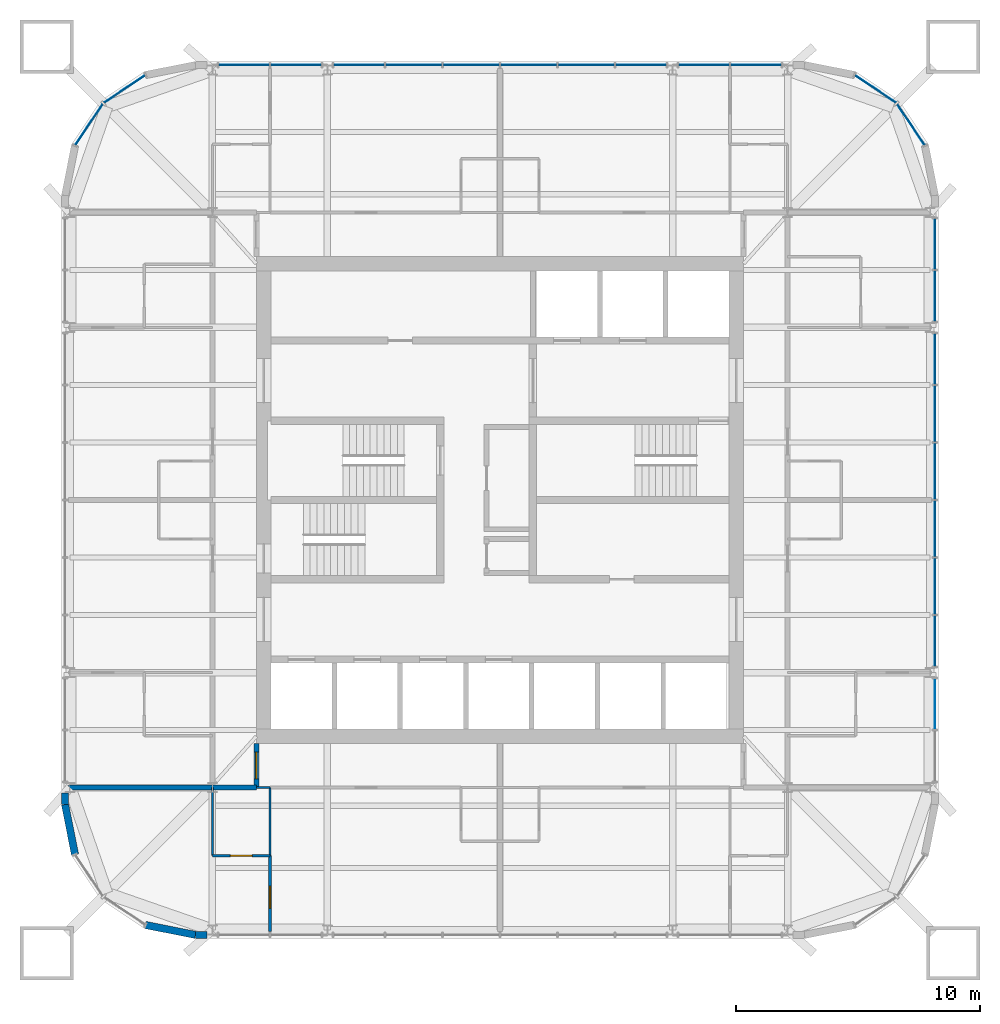
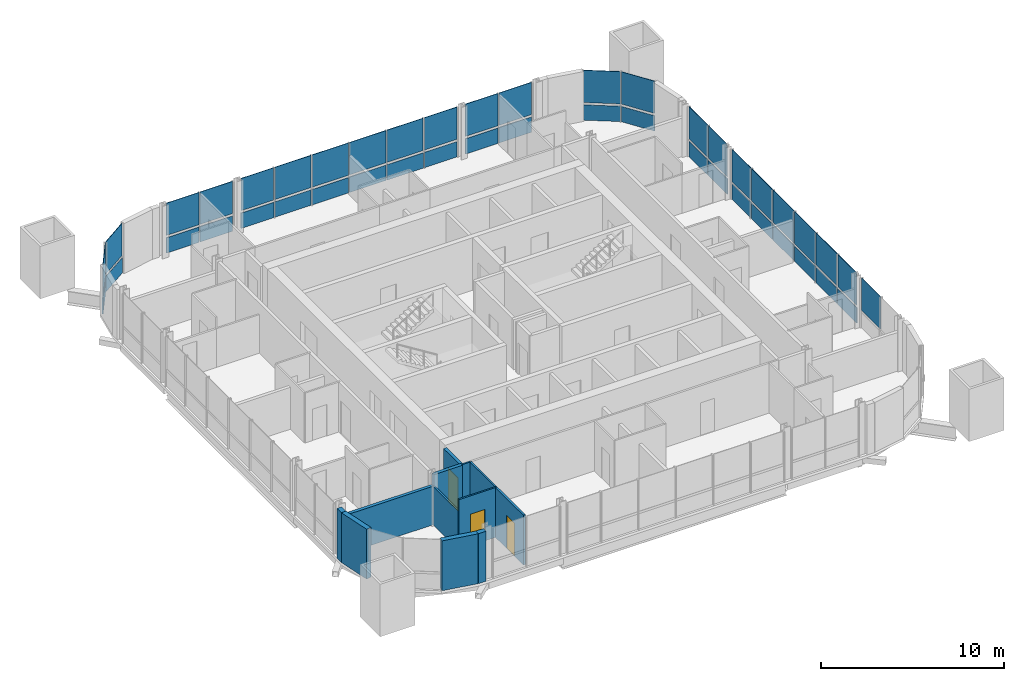
# One storey, part 7 of 12: 45 plates, 12 walls, 3 doors, 3 openings, 8 elements without a shape of their own.
"""IFC4 building model written with IfcOpenShell, lengths in metres."""

from ifc_helpers import new_model, si_unit, direction, frame, frame_2d, origin, origin_2d, place, context, subcontext, project, spatial, rectangle, extrude, material, layer, layer_set, type_object, element, fill, aggregate, save


model = new_model("IFC4")

# Units and contexts
model_context = context("Model", 3, precision=1e-05, world=origin(), true_north=direction((0.0, 1.0)))
body_context = subcontext(model_context, "Body", "Model", "MODEL_VIEW")
ifc_project = project(units=[si_unit("LENGTHUNIT", "METRE"), si_unit("AREAUNIT", "SQUARE_METRE"), si_unit("VOLUMEUNIT", "CUBIC_METRE"), si_unit("PLANEANGLEUNIT", "RADIAN"), si_unit("MASSUNIT", "GRAM", prefix="KILO")], contexts=[model_context])

# Site, building, storey
site_placement = place(None, origin())
site = spatial("IfcSite", under=ifc_project, at=site_placement, CompositionType="ELEMENT")
building_placement = place(site_placement, origin())
building = spatial("IfcBuilding", under=site, at=building_placement, Name="Turquesa Mirador Hotel Tower", CompositionType="ELEMENT")
storey_placement = place(building_placement, frame((0.0, 0.0, 233.699951171875)))
storey = spatial("IfcBuildingStorey", under=building, at=storey_placement, Name="L63", CompositionType="ELEMENT", Elevation=233.699951171875)

# Curtain wall, plates
ifc_material_1 = material(Name="Aluminium extrusion", Category="aluminium")
curtain_wall_type = type_object("IfcCurtainWallType", Name="CW-4 SUITE FRITTED CURTAIN WALL", PredefinedType="USERDEFINED", material=ifc_material_1)
curtain_wall_1_placement = place(storey_placement, origin())
curtain_wall_1 = element("IfcCurtainWall", 1, at=curtain_wall_1_placement, inside=storey, type_object=curtain_wall_type, Name="CW-4 SUITE FRITTED CURTAIN WALL L63", ObjectType="CURTAIN WALL", PredefinedType="USERDEFINED")
ifc_material_2 = material(Name="Ceramic-printed spandrel glass on an insulated back pan", Category="glass")
ifc_layer_1 = layer(ifc_material_2, 0.050048828125)
ifc_layer_set_1 = layer_set([ifc_layer_1], Name="CW PANEL SPANDREL CERAMIC")
plate_type_1 = type_object("IfcPlateType", Name="CW PANEL SPANDREL CERAMIC", PredefinedType="CURTAIN_PANEL", material=ifc_layer_set_1)
plate_1_placement = place(storey_placement, frame((72.85009765625, 39.217041015625, 0.0), z_axis=(0.0, 0.0, 1.0), x_axis=(0.0, 1.0, 0.0)))
plate_1 = element("IfcPlate", 2, at=plate_1_placement, type_object=plate_type_1, Name="Panel", PredefinedType="CURTAIN_PANEL", context=body_context, shape_type="SweptSolid", body=[
    extrude(rectangle(XDim=2.06103515625, YDim=0.050048828125, at=origin_2d()), origin(), (0.0, 0.0, 1.0), 1.02490234375),
])
plate_2_placement = place(storey_placement, frame((72.85009765625, 41.4599609375, 0.0), z_axis=(0.0, 0.0, 1.0), x_axis=(0.0, 1.0, 0.0)))
plate_2 = element("IfcPlate", 3, at=plate_2_placement, type_object=plate_type_1, Name="Panel", PredefinedType="CURTAIN_PANEL", context=body_context, shape_type="SweptSolid", body=[
    extrude(rectangle(XDim=2.294921875, YDim=0.050048828125, at=origin_2d()), origin(), (0.0, 0.0, 1.0), 1.02490234375),
])
plate_3_placement = place(storey_placement, frame((72.85009765625, 43.820068359375, 0.0), z_axis=(0.0, 0.0, 1.0), x_axis=(0.0, 1.0, 0.0)))
plate_3 = element("IfcPlate", 4, at=plate_3_placement, type_object=plate_type_1, Name="Panel", PredefinedType="CURTAIN_PANEL", context=body_context, shape_type="SweptSolid", body=[
    extrude(rectangle(XDim=2.294921875, YDim=0.050048828125, at=origin_2d()), origin(), (0.0, 0.0, 1.0), 1.02490234375),
])
plate_4_placement = place(storey_placement, frame((72.85009765625, 46.179931640625, 0.0), z_axis=(0.0, 0.0, 1.0), x_axis=(0.0, 1.0, 0.0)))
plate_4 = element("IfcPlate", 5, at=plate_4_placement, type_object=plate_type_1, Name="Panel", PredefinedType="CURTAIN_PANEL", context=body_context, shape_type="SweptSolid", body=[
    extrude(rectangle(XDim=2.294921875, YDim=0.050048828125, at=origin_2d()), origin(), (0.0, 0.0, 1.0), 1.02490234375),
])
plate_5_placement = place(storey_placement, frame((72.85009765625, 48.5400390625, 0.0), z_axis=(0.0, 0.0, 1.0), x_axis=(0.0, 1.0, 0.0)))
plate_5 = element("IfcPlate", 6, at=plate_5_placement, type_object=plate_type_1, Name="Panel", PredefinedType="CURTAIN_PANEL", context=body_context, shape_type="SweptSolid", body=[
    extrude(rectangle(XDim=2.294921875, YDim=0.050048828125, at=origin_2d()), origin(), (0.0, 0.0, 1.0), 1.02490234375),
])
plate_6_placement = place(storey_placement, frame((72.85009765625, 50.782958984375, 0.0), z_axis=(0.0, 0.0, 1.0), x_axis=(0.0, 1.0, 0.0)))
plate_6 = element("IfcPlate", 7, at=plate_6_placement, type_object=plate_type_1, Name="Panel", PredefinedType="CURTAIN_PANEL", context=body_context, shape_type="SweptSolid", body=[
    extrude(rectangle(XDim=2.06103515625, YDim=0.050048828125, at=origin_2d()), origin(), (0.0, 0.0, 1.0), 1.02490234375),
])

curtain_wall_2_placement = place(storey_placement, origin())
curtain_wall_2 = element("IfcCurtainWall", 8, at=curtain_wall_2_placement, inside=storey, type_object=curtain_wall_type, Name="CW-4 SUITE FRITTED CURTAIN WALL L63", ObjectType="CURTAIN WALL", PredefinedType="USERDEFINED")
plate_7_placement = place(storey_placement, frame((72.85009765625, 53.376953125, 0.0), z_axis=(0.0, 0.0, 1.0), x_axis=(0.0, 1.0, 0.0)))
plate_7 = element("IfcPlate", 9, at=plate_7_placement, type_object=plate_type_1, Name="Panel", PredefinedType="CURTAIN_PANEL", context=body_context, shape_type="SweptSolid", body=[
    extrude(rectangle(XDim=2.06103515625, YDim=0.050048828125, at=origin_2d()), origin(), (0.0, 0.0, 1.0), 1.02490234375),
])
plate_8_placement = place(storey_placement, frame((72.85009765625, 55.503173828125, 0.0), z_axis=(0.0, 0.0, 1.0), x_axis=(0.0, 1.0, 0.0)))
plate_8 = element("IfcPlate", 10, at=plate_8_placement, type_object=plate_type_1, Name="Panel", PredefinedType="CURTAIN_PANEL", context=body_context, shape_type="SweptSolid", body=[
    extrude(rectangle(XDim=2.06103515625, YDim=0.050048828125, at=origin_2d()), origin(), (0.0, 0.0, 1.0), 1.02490234375),
])

curtain_wall_3_placement = place(storey_placement, origin())
curtain_wall_3 = element("IfcCurtainWall", 11, at=curtain_wall_3_placement, inside=storey, type_object=curtain_wall_type, Name="CW-4 SUITE FRITTED CURTAIN WALL L63", ObjectType="CURTAIN WALL", PredefinedType="USERDEFINED")
plate_9_placement = place(storey_placement, frame((71.86279296875, 60.415283203125, 0.0), z_axis=(0.0, 0.0, 1.0), x_axis=(-0.555570141754, 0.831469673284, 0.0)))
plate_9 = element("IfcPlate", 12, at=plate_9_placement, type_object=plate_type_1, Name="Panel", PredefinedType="CURTAIN_PANEL", context=body_context, shape_type="SweptSolid", body=[
    extrude(rectangle(XDim=2.0224609375, YDim=0.050048828125, at=origin_2d()), origin(), (0.0, 0.0, 1.0), 1.02490234375),
])
plate_10_placement = place(storey_placement, frame((70.415283203125, 61.86279296875, 0.0), z_axis=(0.0, 0.0, 1.0), x_axis=(-0.831469673284, 0.555570141754, 0.0)))
plate_10 = element("IfcPlate", 13, at=plate_10_placement, type_object=plate_type_1, Name="Panel", PredefinedType="CURTAIN_PANEL", context=body_context, shape_type="SweptSolid", body=[
    extrude(rectangle(XDim=2.0224609375, YDim=0.050048828125, at=origin_2d()), origin(), (0.0, 0.0, 1.0), 1.02490234375),
])

curtain_wall_4_placement = place(storey_placement, origin())
curtain_wall_4 = element("IfcCurtainWall", 14, at=curtain_wall_4_placement, inside=storey, type_object=curtain_wall_type, Name="CW-4 SUITE FRITTED CURTAIN WALL L63", ObjectType="CURTAIN WALL", PredefinedType="USERDEFINED")
plate_11_placement = place(storey_placement, frame((65.503173828125, 62.85009765625, 0.0), z_axis=(0.0, 0.0, 1.0), x_axis=(-1.0, 0.0, 0.0)))
plate_11 = element("IfcPlate", 15, at=plate_11_placement, type_object=plate_type_1, Name="Panel", PredefinedType="CURTAIN_PANEL", context=body_context, shape_type="SweptSolid", body=[
    extrude(rectangle(XDim=2.06103515625, YDim=0.050048828125, at=origin_2d()), origin(), (0.0, 0.0, 1.0), 1.02490234375),
])
plate_12_placement = place(storey_placement, frame((63.376953125, 62.85009765625, 0.0), z_axis=(0.0, 0.0, 1.0), x_axis=(-1.0, 0.0, 0.0)))
plate_12 = element("IfcPlate", 16, at=plate_12_placement, type_object=plate_type_1, Name="Panel", PredefinedType="CURTAIN_PANEL", context=body_context, shape_type="SweptSolid", body=[
    extrude(rectangle(XDim=2.06103515625, YDim=0.050048828125, at=origin_2d()), origin(), (0.0, 0.0, 1.0), 1.02490234375),
])

curtain_wall_5_placement = place(storey_placement, origin())
curtain_wall_5 = element("IfcCurtainWall", 17, at=curtain_wall_5_placement, inside=storey, type_object=curtain_wall_type, Name="CW-4 SUITE FRITTED CURTAIN WALL L63", ObjectType="CURTAIN WALL", PredefinedType="USERDEFINED")
plate_13_placement = place(storey_placement, frame((60.782958984375, 62.85009765625, 0.0), z_axis=(0.0, 0.0, 1.0), x_axis=(-1.0, 0.0, 0.0)))
plate_13 = element("IfcPlate", 18, at=plate_13_placement, type_object=plate_type_1, Name="Panel", PredefinedType="CURTAIN_PANEL", context=body_context, shape_type="SweptSolid", body=[
    extrude(rectangle(XDim=2.06103515625, YDim=0.050048828125, at=origin_2d()), origin(), (0.0, 0.0, 1.0), 1.02490234375),
])
plate_14_placement = place(storey_placement, frame((58.5400390625, 62.85009765625, 0.0), z_axis=(0.0, 0.0, 1.0), x_axis=(-1.0, 0.0, 0.0)))
plate_14 = element("IfcPlate", 19, at=plate_14_placement, type_object=plate_type_1, Name="Panel", PredefinedType="CURTAIN_PANEL", context=body_context, shape_type="SweptSolid", body=[
    extrude(rectangle(XDim=2.294921875, YDim=0.050048828125, at=origin_2d()), origin(), (0.0, 0.0, 1.0), 1.02490234375),
])
plate_15_placement = place(storey_placement, frame((56.179931640625, 62.85009765625, 0.0), z_axis=(0.0, 0.0, 1.0), x_axis=(-1.0, 0.0, 0.0)))
plate_15 = element("IfcPlate", 20, at=plate_15_placement, type_object=plate_type_1, Name="Panel", PredefinedType="CURTAIN_PANEL", context=body_context, shape_type="SweptSolid", body=[
    extrude(rectangle(XDim=2.294921875, YDim=0.050048828125, at=origin_2d()), origin(), (0.0, 0.0, 1.0), 1.02490234375),
])
plate_16_placement = place(storey_placement, frame((53.820068359375, 62.85009765625, 0.0), z_axis=(0.0, 0.0, 1.0), x_axis=(-1.0, 0.0, 0.0)))
plate_16 = element("IfcPlate", 21, at=plate_16_placement, type_object=plate_type_1, Name="Panel", PredefinedType="CURTAIN_PANEL", context=body_context, shape_type="SweptSolid", body=[
    extrude(rectangle(XDim=2.294921875, YDim=0.050048828125, at=origin_2d()), origin(), (0.0, 0.0, 1.0), 1.02490234375),
])
plate_17_placement = place(storey_placement, frame((51.4599609375, 62.85009765625, 0.0), z_axis=(0.0, 0.0, 1.0), x_axis=(-1.0, 0.0, 0.0)))
plate_17 = element("IfcPlate", 22, at=plate_17_placement, type_object=plate_type_1, Name="Panel", PredefinedType="CURTAIN_PANEL", context=body_context, shape_type="SweptSolid", body=[
    extrude(rectangle(XDim=2.294921875, YDim=0.050048828125, at=origin_2d()), origin(), (0.0, 0.0, 1.0), 1.02490234375),
])
plate_18_placement = place(storey_placement, frame((49.217041015625, 62.85009765625, 0.0), z_axis=(0.0, 0.0, 1.0), x_axis=(-1.0, 0.0, 0.0)))
plate_18 = element("IfcPlate", 23, at=plate_18_placement, type_object=plate_type_1, Name="Panel", PredefinedType="CURTAIN_PANEL", context=body_context, shape_type="SweptSolid", body=[
    extrude(rectangle(XDim=2.06103515625, YDim=0.050048828125, at=origin_2d()), origin(), (0.0, 0.0, 1.0), 1.02490234375),
])

curtain_wall_6_placement = place(storey_placement, origin())
curtain_wall_6 = element("IfcCurtainWall", 24, at=curtain_wall_6_placement, inside=storey, type_object=curtain_wall_type, Name="CW-4 SUITE FRITTED CURTAIN WALL L63", ObjectType="CURTAIN WALL", PredefinedType="USERDEFINED")
plate_19_placement = place(storey_placement, frame((46.623046875, 62.85009765625, 0.0), z_axis=(0.0, 0.0, 1.0), x_axis=(-1.0, 0.0, 0.0)))
plate_19 = element("IfcPlate", 25, at=plate_19_placement, type_object=plate_type_1, Name="Panel", PredefinedType="CURTAIN_PANEL", context=body_context, shape_type="SweptSolid", body=[
    extrude(rectangle(XDim=2.06103515625, YDim=0.050048828125, at=origin_2d()), origin(), (0.0, 0.0, 1.0), 1.02490234375),
])
plate_20_placement = place(storey_placement, frame((44.496826171875, 62.85009765625, 0.0), z_axis=(0.0, 0.0, 1.0), x_axis=(-1.0, 0.0, 0.0)))
plate_20 = element("IfcPlate", 26, at=plate_20_placement, type_object=plate_type_1, Name="Panel", PredefinedType="CURTAIN_PANEL", context=body_context, shape_type="SweptSolid", body=[
    extrude(rectangle(XDim=2.06103515625, YDim=0.050048828125, at=origin_2d()), origin(), (0.0, 0.0, 1.0), 1.02490234375),
])

curtain_wall_7_placement = place(storey_placement, origin())
curtain_wall_7 = element("IfcCurtainWall", 27, at=curtain_wall_7_placement, inside=storey, type_object=curtain_wall_type, Name="CW-4 SUITE FRITTED CURTAIN WALL L63", ObjectType="CURTAIN WALL", PredefinedType="USERDEFINED")
plate_21_placement = place(storey_placement, frame((39.584716796875, 61.86279296875, 0.0), z_axis=(0.0, 0.0, 1.0), x_axis=(-0.831469673284, -0.555570141754, 0.0)))
plate_21 = element("IfcPlate", 28, at=plate_21_placement, type_object=plate_type_1, Name="Panel", PredefinedType="CURTAIN_PANEL", context=body_context, shape_type="SweptSolid", body=[
    extrude(rectangle(XDim=2.0224609375, YDim=0.050048828125, at=origin_2d()), origin(), (0.0, 0.0, 1.0), 1.02490234375),
])
plate_22_placement = place(storey_placement, frame((38.13720703125, 60.415283203125, 0.0), z_axis=(0.0, 0.0, 1.0), x_axis=(-0.555570141754, -0.831469673284, 0.0)))
plate_22 = element("IfcPlate", 29, at=plate_22_placement, type_object=plate_type_1, Name="Panel", PredefinedType="CURTAIN_PANEL", context=body_context, shape_type="SweptSolid", body=[
    extrude(rectangle(XDim=2.0224609375, YDim=0.050048828125, at=origin_2d()), origin(), (0.0, 0.0, 1.0), 1.02490234375),
])

# Curtain wall, plate
curtain_wall_8_placement = place(storey_placement, origin())
curtain_wall_8 = element("IfcCurtainWall", 30, at=curtain_wall_8_placement, inside=storey, type_object=curtain_wall_type, Name="CW-4 SUITE FRITTED CURTAIN WALL L63", ObjectType="CURTAIN WALL", PredefinedType="USERDEFINED")
ifc_material_3 = material(Name="Ceramic-fritted laminated glass", Category="glass")
ifc_layer_2 = layer(ifc_material_3, 0.031982421875)
ifc_layer_set_2 = layer_set([ifc_layer_2], Name="CW PANEL VISION FRITTED")
plate_type_2 = type_object("IfcPlateType", Name="CW PANEL VISION FRITTED", PredefinedType="CURTAIN_PANEL", material=ifc_layer_set_2)
plate_23_placement = place(storey_placement, frame((72.85009765625, 36.623046875, 1.1748046875), z_axis=(0.0, 0.0, 1.0), x_axis=(0.0, 1.0, 0.0)))
plate_23 = element("IfcPlate", 31, at=plate_23_placement, type_object=plate_type_2, Name="Panel", PredefinedType="CURTAIN_PANEL", context=body_context, shape_type="SweptSolid", body=[
    extrude(rectangle(XDim=2.06103515625, YDim=0.031982421875, at=origin_2d()), origin(), (0.0, 0.0, 1.0), 2.155029296875),
])
aggregate(curtain_wall_8, [plate_23])

# Plate
plate_24_placement = place(storey_placement, frame((72.85009765625, 39.217041015625, 1.1748046875), z_axis=(0.0, 0.0, 1.0), x_axis=(0.0, 1.0, 0.0)))
plate_24 = element("IfcPlate", 32, at=plate_24_placement, type_object=plate_type_2, Name="Panel", PredefinedType="CURTAIN_PANEL", context=body_context, shape_type="SweptSolid", body=[
    extrude(rectangle(XDim=2.06103515625, YDim=0.031982421875, at=origin_2d()), origin(), (0.0, 0.0, 1.0), 2.155029296875),
])

plate_25_placement = place(storey_placement, frame((72.85009765625, 41.4599609375, 1.1748046875), z_axis=(0.0, 0.0, 1.0), x_axis=(0.0, 1.0, 0.0)))
plate_25 = element("IfcPlate", 33, at=plate_25_placement, type_object=plate_type_2, Name="Panel", PredefinedType="CURTAIN_PANEL", context=body_context, shape_type="SweptSolid", body=[
    extrude(rectangle(XDim=2.294921875, YDim=0.031982421875, at=origin_2d()), origin(), (0.0, 0.0, 1.0), 2.155029296875),
])

plate_26_placement = place(storey_placement, frame((72.85009765625, 43.820068359375, 1.1748046875), z_axis=(0.0, 0.0, 1.0), x_axis=(0.0, 1.0, 0.0)))
plate_26 = element("IfcPlate", 34, at=plate_26_placement, type_object=plate_type_2, Name="Panel", PredefinedType="CURTAIN_PANEL", context=body_context, shape_type="SweptSolid", body=[
    extrude(rectangle(XDim=2.294921875, YDim=0.031982421875, at=origin_2d()), origin(), (0.0, 0.0, 1.0), 2.155029296875),
])

plate_27_placement = place(storey_placement, frame((72.85009765625, 46.179931640625, 1.1748046875), z_axis=(0.0, 0.0, 1.0), x_axis=(0.0, 1.0, 0.0)))
plate_27 = element("IfcPlate", 35, at=plate_27_placement, type_object=plate_type_2, Name="Panel", PredefinedType="CURTAIN_PANEL", context=body_context, shape_type="SweptSolid", body=[
    extrude(rectangle(XDim=2.294921875, YDim=0.031982421875, at=origin_2d()), origin(), (0.0, 0.0, 1.0), 2.155029296875),
])

plate_28_placement = place(storey_placement, frame((72.85009765625, 48.5400390625, 1.1748046875), z_axis=(0.0, 0.0, 1.0), x_axis=(0.0, 1.0, 0.0)))
plate_28 = element("IfcPlate", 36, at=plate_28_placement, type_object=plate_type_2, Name="Panel", PredefinedType="CURTAIN_PANEL", context=body_context, shape_type="SweptSolid", body=[
    extrude(rectangle(XDim=2.294921875, YDim=0.031982421875, at=origin_2d()), origin(), (0.0, 0.0, 1.0), 2.155029296875),
])

plate_29_placement = place(storey_placement, frame((72.85009765625, 50.782958984375, 1.1748046875), z_axis=(0.0, 0.0, 1.0), x_axis=(0.0, 1.0, 0.0)))
plate_29 = element("IfcPlate", 37, at=plate_29_placement, type_object=plate_type_2, Name="Panel", PredefinedType="CURTAIN_PANEL", context=body_context, shape_type="SweptSolid", body=[
    extrude(rectangle(XDim=2.06103515625, YDim=0.031982421875, at=origin_2d()), origin(), (0.0, 0.0, 1.0), 2.155029296875),
])

aggregate(curtain_wall_1, [plate_1, plate_24, plate_2, plate_25, plate_3, plate_26, plate_4, plate_27, plate_5, plate_28, plate_6, plate_29])

plate_30_placement = place(storey_placement, frame((72.85009765625, 53.376953125, 1.1748046875), z_axis=(0.0, 0.0, 1.0), x_axis=(0.0, 1.0, 0.0)))
plate_30 = element("IfcPlate", 38, at=plate_30_placement, type_object=plate_type_2, Name="Panel", PredefinedType="CURTAIN_PANEL", context=body_context, shape_type="SweptSolid", body=[
    extrude(rectangle(XDim=2.06103515625, YDim=0.031982421875, at=origin_2d()), origin(), (0.0, 0.0, 1.0), 2.155029296875),
])

plate_31_placement = place(storey_placement, frame((72.85009765625, 55.503173828125, 1.1748046875), z_axis=(0.0, 0.0, 1.0), x_axis=(0.0, 1.0, 0.0)))
plate_31 = element("IfcPlate", 39, at=plate_31_placement, type_object=plate_type_2, Name="Panel", PredefinedType="CURTAIN_PANEL", context=body_context, shape_type="SweptSolid", body=[
    extrude(rectangle(XDim=2.06103515625, YDim=0.031982421875, at=origin_2d()), origin(), (0.0, 0.0, 1.0), 2.155029296875),
])

aggregate(curtain_wall_2, [plate_7, plate_30, plate_8, plate_31])

plate_32_placement = place(storey_placement, frame((71.86279296875, 60.415283203125, 1.1748046875), z_axis=(0.0, 0.0, 1.0), x_axis=(-0.555570141754, 0.831469673284, 0.0)))
plate_32 = element("IfcPlate", 40, at=plate_32_placement, type_object=plate_type_2, Name="Panel", PredefinedType="CURTAIN_PANEL", context=body_context, shape_type="SweptSolid", body=[
    extrude(rectangle(XDim=2.0224609375, YDim=0.031982421875, at=origin_2d()), origin(), (0.0, 0.0, 1.0), 2.155029296875),
])

plate_33_placement = place(storey_placement, frame((70.415283203125, 61.86279296875, 1.1748046875), z_axis=(0.0, 0.0, 1.0), x_axis=(-0.831469673284, 0.555570141754, 0.0)))
plate_33 = element("IfcPlate", 41, at=plate_33_placement, type_object=plate_type_2, Name="Panel", PredefinedType="CURTAIN_PANEL", context=body_context, shape_type="SweptSolid", body=[
    extrude(rectangle(XDim=2.0224609375, YDim=0.031982421875, at=origin_2d()), origin(), (0.0, 0.0, 1.0), 2.155029296875),
])

aggregate(curtain_wall_3, [plate_9, plate_32, plate_10, plate_33])

plate_34_placement = place(storey_placement, frame((65.503173828125, 62.85009765625, 1.1748046875), z_axis=(0.0, 0.0, 1.0), x_axis=(-1.0, 0.0, 0.0)))
plate_34 = element("IfcPlate", 42, at=plate_34_placement, type_object=plate_type_2, Name="Panel", PredefinedType="CURTAIN_PANEL", context=body_context, shape_type="SweptSolid", body=[
    extrude(rectangle(XDim=2.06103515625, YDim=0.031982421875, at=origin_2d()), origin(), (0.0, 0.0, 1.0), 2.155029296875),
])

plate_35_placement = place(storey_placement, frame((63.376953125, 62.85009765625, 1.1748046875), z_axis=(0.0, 0.0, 1.0), x_axis=(-1.0, 0.0, 0.0)))
plate_35 = element("IfcPlate", 43, at=plate_35_placement, type_object=plate_type_2, Name="Panel", PredefinedType="CURTAIN_PANEL", context=body_context, shape_type="SweptSolid", body=[
    extrude(rectangle(XDim=2.06103515625, YDim=0.031982421875, at=origin_2d()), origin(), (0.0, 0.0, 1.0), 2.155029296875),
])

aggregate(curtain_wall_4, [plate_11, plate_34, plate_12, plate_35])

plate_36_placement = place(storey_placement, frame((60.782958984375, 62.85009765625, 1.1748046875), z_axis=(0.0, 0.0, 1.0), x_axis=(-1.0, 0.0, 0.0)))
plate_36 = element("IfcPlate", 44, at=plate_36_placement, type_object=plate_type_2, Name="Panel", PredefinedType="CURTAIN_PANEL", context=body_context, shape_type="SweptSolid", body=[
    extrude(rectangle(XDim=2.06103515625, YDim=0.031982421875, at=origin_2d()), origin(), (0.0, 0.0, 1.0), 2.155029296875),
])

plate_37_placement = place(storey_placement, frame((58.5400390625, 62.85009765625, 1.1748046875), z_axis=(0.0, 0.0, 1.0), x_axis=(-1.0, 0.0, 0.0)))
plate_37 = element("IfcPlate", 45, at=plate_37_placement, type_object=plate_type_2, Name="Panel", PredefinedType="CURTAIN_PANEL", context=body_context, shape_type="SweptSolid", body=[
    extrude(rectangle(XDim=2.294921875, YDim=0.031982421875, at=origin_2d()), origin(), (0.0, 0.0, 1.0), 2.155029296875),
])

plate_38_placement = place(storey_placement, frame((56.179931640625, 62.85009765625, 1.1748046875), z_axis=(0.0, 0.0, 1.0), x_axis=(-1.0, 0.0, 0.0)))
plate_38 = element("IfcPlate", 46, at=plate_38_placement, type_object=plate_type_2, Name="Panel", PredefinedType="CURTAIN_PANEL", context=body_context, shape_type="SweptSolid", body=[
    extrude(rectangle(XDim=2.294921875, YDim=0.031982421875, at=origin_2d()), origin(), (0.0, 0.0, 1.0), 2.155029296875),
])

plate_39_placement = place(storey_placement, frame((53.820068359375, 62.85009765625, 1.1748046875), z_axis=(0.0, 0.0, 1.0), x_axis=(-1.0, 0.0, 0.0)))
plate_39 = element("IfcPlate", 47, at=plate_39_placement, type_object=plate_type_2, Name="Panel", PredefinedType="CURTAIN_PANEL", context=body_context, shape_type="SweptSolid", body=[
    extrude(rectangle(XDim=2.294921875, YDim=0.031982421875, at=origin_2d()), origin(), (0.0, 0.0, 1.0), 2.155029296875),
])

plate_40_placement = place(storey_placement, frame((51.4599609375, 62.85009765625, 1.1748046875), z_axis=(0.0, 0.0, 1.0), x_axis=(-1.0, 0.0, 0.0)))
plate_40 = element("IfcPlate", 48, at=plate_40_placement, type_object=plate_type_2, Name="Panel", PredefinedType="CURTAIN_PANEL", context=body_context, shape_type="SweptSolid", body=[
    extrude(rectangle(XDim=2.294921875, YDim=0.031982421875, at=origin_2d()), origin(), (0.0, 0.0, 1.0), 2.155029296875),
])

plate_41_placement = place(storey_placement, frame((49.217041015625, 62.85009765625, 1.1748046875), z_axis=(0.0, 0.0, 1.0), x_axis=(-1.0, 0.0, 0.0)))
plate_41 = element("IfcPlate", 49, at=plate_41_placement, type_object=plate_type_2, Name="Panel", PredefinedType="CURTAIN_PANEL", context=body_context, shape_type="SweptSolid", body=[
    extrude(rectangle(XDim=2.06103515625, YDim=0.031982421875, at=origin_2d()), origin(), (0.0, 0.0, 1.0), 2.155029296875),
])

aggregate(curtain_wall_5, [plate_13, plate_36, plate_14, plate_37, plate_15, plate_38, plate_16, plate_39, plate_17, plate_40, plate_18, plate_41])

plate_42_placement = place(storey_placement, frame((46.623046875, 62.85009765625, 1.1748046875), z_axis=(0.0, 0.0, 1.0), x_axis=(-1.0, 0.0, 0.0)))
plate_42 = element("IfcPlate", 50, at=plate_42_placement, type_object=plate_type_2, Name="Panel", PredefinedType="CURTAIN_PANEL", context=body_context, shape_type="SweptSolid", body=[
    extrude(rectangle(XDim=2.06103515625, YDim=0.031982421875, at=origin_2d()), origin(), (0.0, 0.0, 1.0), 2.155029296875),
])

plate_43_placement = place(storey_placement, frame((44.496826171875, 62.85009765625, 1.1748046875), z_axis=(0.0, 0.0, 1.0), x_axis=(-1.0, 0.0, 0.0)))
plate_43 = element("IfcPlate", 51, at=plate_43_placement, type_object=plate_type_2, Name="Panel", PredefinedType="CURTAIN_PANEL", context=body_context, shape_type="SweptSolid", body=[
    extrude(rectangle(XDim=2.06103515625, YDim=0.031982421875, at=origin_2d()), origin(), (0.0, 0.0, 1.0), 2.155029296875),
])

aggregate(curtain_wall_6, [plate_19, plate_42, plate_20, plate_43])

plate_44_placement = place(storey_placement, frame((39.584716796875, 61.86279296875, 1.1748046875), z_axis=(0.0, 0.0, 1.0), x_axis=(-0.831469673284, -0.555570141754, 0.0)))
plate_44 = element("IfcPlate", 52, at=plate_44_placement, type_object=plate_type_2, Name="Panel", PredefinedType="CURTAIN_PANEL", context=body_context, shape_type="SweptSolid", body=[
    extrude(rectangle(XDim=2.0224609375, YDim=0.031982421875, at=origin_2d()), origin(), (0.0, 0.0, 1.0), 2.155029296875),
])

plate_45_placement = place(storey_placement, frame((38.13720703125, 60.415283203125, 1.1748046875), z_axis=(0.0, 0.0, 1.0), x_axis=(-0.555570141754, -0.831469673284, 0.0)))
plate_45 = element("IfcPlate", 53, at=plate_45_placement, type_object=plate_type_2, Name="Panel", PredefinedType="CURTAIN_PANEL", context=body_context, shape_type="SweptSolid", body=[
    extrude(rectangle(XDim=2.0224609375, YDim=0.031982421875, at=origin_2d()), origin(), (0.0, 0.0, 1.0), 2.155029296875),
])

aggregate(curtain_wall_7, [plate_21, plate_44, plate_22, plate_45])

# Wall
ifc_material_4 = material(Name="Gypsum board on steel studs", Category="steel")
ifc_layer_3 = layer(ifc_material_4, 0.10009765625)
ifc_layer_set_3 = layer_set([ifc_layer_3], Name="BATHROOM WALL 100")
wall_type_1 = type_object("IfcWallType", Name="BATHROOM WALL 100", PredefinedType="PARTITIONING", material=ifc_layer_set_3)
wall_1_placement = place(storey_placement, frame((45.0, 33.199951171875, 0.0), z_axis=(0.0, 0.0, 1.0), x_axis=(1.0, 0.0, 0.0)))
element("IfcWall", 54, at=wall_1_placement, inside=storey, type_object=wall_type_1, Name="Partition L63 003", PredefinedType="PARTITIONING", context=body_context, shape_type="SweptSolid", body=[
    extrude(rectangle(XDim=0.56005859375, YDim=0.10009765625, at=frame_2d((0.280029296875, 0.0))), origin(), (0.0, 0.0, 1.0), 3.330078125),
])

# Wall, opening, door
wall_2_placement = place(storey_placement, frame((43.199951171875, 30.39990234375, 0.0), z_axis=(0.0, 0.0, 1.0), x_axis=(1.0, 0.0, 0.0)))
wall_2 = element("IfcWall", 55, at=wall_2_placement, inside=storey, type_object=wall_type_1, Name="Partition L63 013", PredefinedType="PARTITIONING", context=body_context, shape_type="SweptSolid", body=[
    extrude(rectangle(XDim=2.360107421875, YDim=0.10009765625, at=frame_2d((1.18017578125, 0.0))), origin(), (0.0, 0.0, 1.0), 3.330078125),
])
opening_1_placement = place(wall_2_placement, frame((0.72998046875, 0.0, 0.0)))
opening_1 = element("IfcOpeningElement", 56, at=opening_1_placement, cuts=wall_2, Name="Opening D02", PredefinedType="OPENING", context=body_context, shape_type="SweptSolid", body=[
    extrude(rectangle(XDim=0.89990234375, YDim=2.10009765625, at=frame_2d((0.449951171875, 1.050048828125))), frame((0.0, 0.06005859375, 0.0), z_axis=(0.0, -1.0, 0.0), x_axis=(1.0, 0.0, 0.0)), (0.0, 0.0, 1.0), 0.1201171875),
])
ifc_material_5 = material(Name="Timber veneered door", Category="wood")
door_type_1 = type_object("IfcDoorType", Name="DOOR 900X2100 EN-SUITE", OperationType="SINGLE_SWING_RIGHT", PredefinedType="DOOR", material=ifc_material_5)
door_1_placement = place(opening_1_placement, origin())
door_1 = element("IfcDoor", 57, at=door_1_placement, inside=storey, type_object=door_type_1, Name="Door 6303B", OperationType="SINGLE_SWING_RIGHT", OverallHeight=2.10009765625, OverallWidth=0.89990234375, PredefinedType="DOOR", context=body_context, shape_type="SweptSolid", body=[
    extrude(rectangle(XDim=0.89990234375, YDim=2.10009765625, at=frame_2d((0.449951171875, 1.050048828125))), frame((0.0, 0.02490234375, 0.0), z_axis=(0.0, -1.0, 0.0), x_axis=(1.0, 0.0, 0.0)), (0.0, 0.0, 1.0), 0.050048828125),
])
fill(opening_1, door_1)

# Walls
wall_3_placement = place(storey_placement, frame((43.199951171875, 30.39990234375, 0.0), z_axis=(0.0, 0.0, 1.0), x_axis=(0.0, 1.0, 0.0)))
element("IfcWall", 58, at=wall_3_placement, inside=storey, type_object=wall_type_1, Name="Partition L63 047", PredefinedType="PARTITIONING", context=body_context, shape_type="SweptSolid", body=[
    extrude(rectangle(XDim=2.800048828125, YDim=0.10009765625, at=frame_2d((1.39990234375, 0.0))), origin(), (0.0, 0.0, 1.0), 2.5732421875),
])
wall_4_placement = place(storey_placement, frame((45.56005859375, 30.39990234375, 0.0), z_axis=(0.0, 0.0, 1.0), x_axis=(0.0, 1.0, 0.0)))
element("IfcWall", 59, at=wall_4_placement, inside=storey, type_object=wall_type_1, Name="Partition L63 053", PredefinedType="PARTITIONING", context=body_context, shape_type="SweptSolid", body=[
    extrude(rectangle(XDim=2.800048828125, YDim=0.10009765625, at=frame_2d((1.39990234375, 0.0))), origin(), (0.0, 0.0, 1.0), 3.330078125),
])
ifc_material_6 = material(Name="Fire-rated gypsum board on steel studs", Category="steel")
ifc_layer_4 = layer(ifc_material_6, 0.199951171875)
ifc_layer_set_4 = layer_set([ifc_layer_4], Name="CORRIDOR WALL 200")
wall_type_2 = type_object("IfcWallType", Name="CORRIDOR WALL 200", PredefinedType="PARTITIONING", material=ifc_layer_set_4)
wall_5_placement = place(storey_placement, frame((43.199951171875, 33.199951171875, 0.0), z_axis=(0.0, 0.0, 1.0), x_axis=(1.0, 0.0, 0.0)))
element("IfcWall", 60, at=wall_5_placement, inside=storey, type_object=wall_type_2, Name="Partition L63 006", PredefinedType="PARTITIONING", context=body_context, shape_type="SweptSolid", body=[
    extrude(rectangle(XDim=1.800048828125, YDim=0.199951171875, at=frame_2d((0.89990234375, 0.0))), origin(), (0.0, 0.0, 1.0), 3.330078125),
])

# Wall, opening, door
wall_6_placement = place(storey_placement, frame((45.0, 33.199951171875, 0.0), z_axis=(0.0, 0.0, 1.0), x_axis=(0.0, 1.0, 0.0)))
wall_6 = element("IfcWall", 61, at=wall_6_placement, inside=storey, type_object=wall_type_2, Name="Partition L63 045", PredefinedType="PARTITIONING", context=body_context, shape_type="SweptSolid", body=[
    extrude(rectangle(XDim=1.800048828125, YDim=0.199951171875, at=frame_2d((0.89990234375, 0.0))), origin(), (0.0, 0.0, 1.0), 3.330078125),
])
opening_2_placement = place(wall_6_placement, frame((0.35009765625, 0.0, 0.0)))
opening_2 = element("IfcOpeningElement", 62, at=opening_2_placement, cuts=wall_6, Name="Opening D15", PredefinedType="OPENING", context=body_context, shape_type="SweptSolid", body=[
    extrude(rectangle(XDim=1.10009765625, YDim=2.199951171875, at=frame_2d((0.550048828125, 1.10009765625))), frame((0.0, 0.10986328125, 0.0), z_axis=(0.0, -1.0, 0.0), x_axis=(1.0, 0.0, 0.0)), (0.0, 0.0, 1.0), 0.219970703125),
])
ifc_material_7 = material(Name="Timber veneered fire door", Category="wood")
door_type_2 = type_object("IfcDoorType", Name="DOOR 1100X2200 SUITE ENTRY", OperationType="SINGLE_SWING_LEFT", PredefinedType="DOOR", material=ifc_material_7)
door_2_placement = place(opening_2_placement, origin())
door_2 = element("IfcDoor", 63, at=door_2_placement, inside=storey, type_object=door_type_2, Name="Door 6303G", OperationType="SINGLE_SWING_LEFT", OverallHeight=2.199951171875, OverallWidth=1.10009765625, PredefinedType="DOOR", context=body_context, shape_type="SweptSolid", body=[
    extrude(rectangle(XDim=1.10009765625, YDim=2.199951171875, at=frame_2d((0.550048828125, 1.10009765625))), frame((0.0, 0.02490234375, 0.0), z_axis=(0.0, -1.0, 0.0), x_axis=(1.0, 0.0, 0.0)), (0.0, 0.0, 1.0), 0.050048828125),
])
fill(opening_2, door_2)

# Walls
ifc_material_8 = material(Name="Limestone cladding on concrete block", Category="masonry")
ifc_layer_5 = layer(ifc_material_8, 0.300048828125)
ifc_layer_set_5 = layer_set([ifc_layer_5], Name="FACADE WALL 300 STONE PIER")
wall_type_3 = type_object("IfcWallType", Name="FACADE WALL 300 STONE PIER", PredefinedType="SOLIDWALL", material=ifc_layer_set_5)
wall_7_placement = place(storey_placement, frame((37.14990234375, 32.966064453125, 0.0), z_axis=(0.0, 0.0, 1.0), x_axis=(0.0, -1.0, 0.0)))
element("IfcWall", 64, at=wall_7_placement, inside=storey, type_object=wall_type_3, Name="Facade wall L63 bay CWS-L63-05d 00", PredefinedType="SOLIDWALL", context=body_context, shape_type="SweptSolid", body=[
    extrude(rectangle(XDim=0.466064453125, YDim=0.300048828125, at=frame_2d((0.23291015625, 0.0))), origin(), (0.0, 0.0, 1.0), 3.330078125),
])
for number, where, z_axis, x_axis, name in (
    (65, (37.14990234375, 32.5, 0.0), (0.0, 0.0, 1.0), (0.195081421501, -0.980787050784, 0.0), "Facade wall L63 bay CWS-L63-06 00"),
    (66, (40.45263671875, 27.55712890625, 0.0), (0.0, 0.0, 1.0), (0.980787050784, -0.195081421501, 0.0), "Facade wall L63 bay CWS-L63-06 03"),
):
    element("IfcWall", number, at=place(storey_placement, frame(where, z_axis=z_axis, x_axis=x_axis)), inside=storey, type_object=wall_type_3, Name=name, PredefinedType="SOLIDWALL", context=body_context, shape_type="SweptSolid", body=[
        extrude(rectangle(XDim=2.08740234375, YDim=0.300048828125, at=frame_2d((1.043701171875, 0.0))), origin(), (0.0, 0.0, 1.0), 3.330078125),
    ])
wall_8_placement = place(storey_placement, frame((42.5, 27.14990234375, 0.0), z_axis=(0.0, 0.0, 1.0), x_axis=(1.0, 0.0, 0.0)))
element("IfcWall", 67, at=wall_8_placement, inside=storey, type_object=wall_type_3, Name="Facade wall L63 bay CWS-L63-07 00", PredefinedType="SOLIDWALL", context=body_context, shape_type="SweptSolid", body=[
    extrude(rectangle(XDim=0.466064453125, YDim=0.300048828125, at=frame_2d((0.23291015625, 0.0))), origin(), (0.0, 0.0, 1.0), 3.330078125),
])
ifc_material_9 = material(Name="Fire-rated gypsum board on steel studs", Category="steel")
ifc_layer_6 = layer(ifc_material_9, 0.199951171875)
ifc_layer_set_6 = layer_set([ifc_layer_6], Name="PARTY WALL 200")
wall_type_4 = type_object("IfcWallType", Name="PARTY WALL 200", PredefinedType="PARTITIONING", material=ifc_layer_set_6)
wall_9_placement = place(storey_placement, frame((37.300048828125, 33.199951171875, 0.0), z_axis=(0.0, 0.0, 1.0), x_axis=(1.0, 0.0, 0.0)))
element("IfcWall", 68, at=wall_9_placement, inside=storey, type_object=wall_type_4, Name="Partition L63 008", PredefinedType="PARTITIONING", context=body_context, shape_type="SweptSolid", body=[
    extrude(rectangle(XDim=5.89990234375, YDim=0.199951171875, at=frame_2d((2.949951171875, 0.0))), origin(), (0.0, 0.0, 1.0), 2.5732421875),
])

# Wall, opening, door
ifc_material_10 = material(Name="Acoustic gypsum board on steel studs", Category="steel")
ifc_layer_7 = layer(ifc_material_10, 0.125)
ifc_layer_set_7 = layer_set([ifc_layer_7], Name="SUITE PARTITION 125")
wall_type_5 = type_object("IfcWallType", Name="SUITE PARTITION 125", PredefinedType="PARTITIONING", material=ifc_layer_set_7)
wall_10_placement = place(storey_placement, frame((45.56005859375, 27.300048828125, 0.0), z_axis=(0.0, 0.0, 1.0), x_axis=(0.0, 1.0, 0.0)))
wall_10 = element("IfcWall", 69, at=wall_10_placement, inside=storey, type_object=wall_type_5, Name="Partition L63 055", PredefinedType="PARTITIONING", context=body_context, shape_type="SweptSolid", body=[
    extrude(rectangle(XDim=3.099853515625, YDim=0.125, at=frame_2d((1.5498046875, 0.0))), origin(), (0.0, 0.0, 1.0), 3.330078125),
])
opening_3_placement = place(wall_10_placement, frame((0.949951171875, 0.0, 0.0)))
opening_3 = element("IfcOpeningElement", 70, at=opening_3_placement, cuts=wall_10, Name="Opening D17", PredefinedType="OPENING", context=body_context, shape_type="SweptSolid", body=[
    extrude(rectangle(XDim=0.89990234375, YDim=2.199951171875, at=frame_2d((0.449951171875, 1.10009765625))), frame((0.0, 0.072509765625, 0.0), z_axis=(0.0, -1.0, 0.0), x_axis=(1.0, 0.0, 0.0)), (0.0, 0.0, 1.0), 0.14501953125),
])
ifc_material_11 = material(Name="Timber veneered door", Category="wood")
door_type_3 = type_object("IfcDoorType", Name="DOOR 900X2200 SUITE INTERNAL", OperationType="SINGLE_SWING_LEFT", PredefinedType="DOOR", material=ifc_material_11)
door_3_placement = place(opening_3_placement, origin())
door_3 = element("IfcDoor", 71, at=door_3_placement, inside=storey, type_object=door_type_3, Name="Door 6303R", OperationType="SINGLE_SWING_LEFT", OverallHeight=2.199951171875, OverallWidth=0.89990234375, PredefinedType="DOOR", context=body_context, shape_type="SweptSolid", body=[
    extrude(rectangle(XDim=0.89990234375, YDim=2.199951171875, at=frame_2d((0.449951171875, 1.10009765625))), frame((0.0, 0.02490234375, 0.0), z_axis=(0.0, -1.0, 0.0), x_axis=(1.0, 0.0, 0.0)), (0.0, 0.0, 1.0), 0.050048828125),
])
fill(opening_3, door_3)

save(model, "model.ifc")
